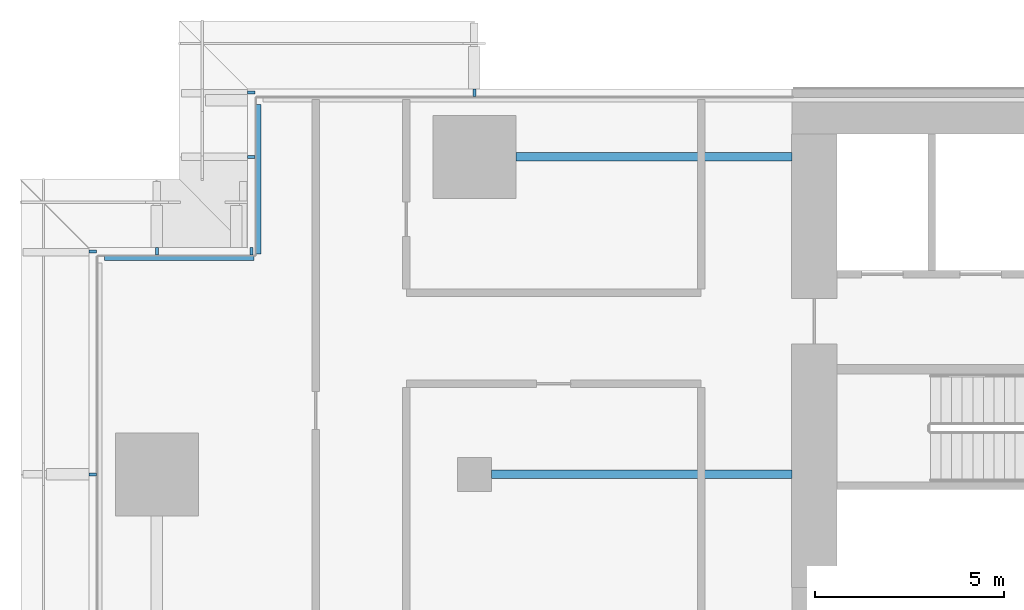
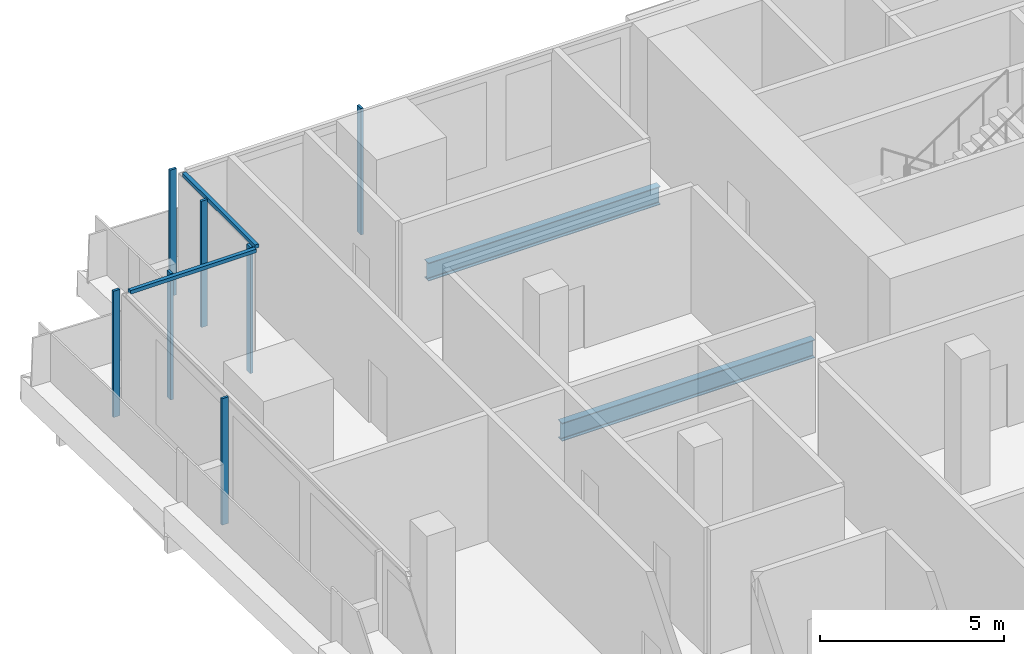
# One storey, part 6 of 23: 9 members, 2 beams, 4 elements without a shape of their own.
"""IFC4 building model written with IfcOpenShell, lengths in metres."""

import ifcopenshell
import ifcopenshell.guid

model = None  # the IFC model being written
_history = None  # IfcOwnerHistory: only IFC2X3 demands one
_inside = {}  # id of a spatial element -> (the spatial element, [elements in it])
_under = {}  # id of a project, library or spatial element -> (it, [spatial elements below it])
_declared = {}  # id of a project -> (the project, [libraries it declares])
_typed = {}  # id of a type object -> (the type object, [elements of that type])
_made_of = {}  # id of a material, layer set ... -> (it, [elements and type objects made of it])


def new_model(schema):
    """Start an empty IFC model of exactly this schema.

    Asked for "IFC4X3", IfcOpenShell would pick the latest addendum, in which some entities
    have other attributes; the version numbers below select the first issue.
    IFC2X3 requires an IfcOwnerHistory on every rooted entity: one is made here for all.
    """
    global model, _history
    if schema == "IFC4X3":
        model = ifcopenshell.file(schema_version=(4, 3, 0, 0))
    else:
        model = ifcopenshell.file(schema=schema)
    _inside.clear()
    _under.clear()
    _declared.clear()
    _typed.clear()
    _made_of.clear()
    _history = None
    if model.schema == "IFC2X3":
        org = make("IfcOrganization", Name="unknown")
        user = make(
            "IfcPersonAndOrganization",
            ThePerson=make("IfcPerson", FamilyName="unknown"),
            TheOrganization=org,
        )
        app = make(
            "IfcApplication",
            ApplicationDeveloper=org,
            Version="unknown",
            ApplicationFullName="unknown",
            ApplicationIdentifier="unknown",
        )
        _history = make(
            "IfcOwnerHistory",
            OwningUser=user,
            OwningApplication=app,
            ChangeAction="ADDED",
            CreationDate=0,
        )
    return model


def make(cls, **values):
    """One entity of the class cls with the attributes given. An attribute that is None is left unset."""
    return model.create_entity(
        cls, **{name: value for name, value in values.items() if value is not None}
    )


def rooted(cls, **values):
    """An entity with a GlobalId (a new one), such as an element, a storey or a relation."""
    return make(cls, GlobalId=ifcopenshell.guid.new(), OwnerHistory=_history, **values)


def si_unit(unit_type, name, prefix=None):
    """IfcSIUnit, for example si_unit("LENGTHUNIT", "METRE", prefix="MILLI")."""
    return make("IfcSIUnit", UnitType=unit_type, Prefix=prefix, Name=name)


def assignment(units):
    """IfcUnitAssignment: the units of a project."""
    return None if units is None else make("IfcUnitAssignment", Units=units)


def point(xyz):
    """IfcCartesianPoint."""
    return None if xyz is None else make("IfcCartesianPoint", Coordinates=xyz)


def direction(xyz):
    """IfcDirection."""
    return None if xyz is None else make("IfcDirection", DirectionRatios=xyz)


def frame(location, z_axis=None, x_axis=None):
    """IfcAxis2Placement3D, a coordinate frame: its origin and axes. An axis left out is left unset."""
    return make(
        "IfcAxis2Placement3D",
        Location=point(location),
        Axis=direction(z_axis),
        RefDirection=direction(x_axis),
    )


def frame_2d(location, x_axis=None):
    """IfcAxis2Placement2D, a coordinate frame in the plane: its origin and x axis."""
    return make(
        "IfcAxis2Placement2D", Location=point(location), RefDirection=direction(x_axis)
    )


def origin():
    """The frame at (0, 0, 0) with its axes left unset."""
    return frame((0.0, 0.0, 0.0))


def origin_2d():
    """The frame at (0, 0) in the plane with its x axis left unset."""
    return frame_2d((0.0, 0.0))


def place(relative_to, where):
    """IfcLocalPlacement: puts the frame where relative to a parent placement (None: the world)."""
    return make(
        "IfcLocalPlacement", PlacementRelTo=relative_to, RelativePlacement=where
    )


def context(
    kind, dimensions, precision=None, world=None, true_north=None, identifier=None
):
    """IfcGeometricRepresentationContext, for example the 3D "Model" context."""
    return make(
        "IfcGeometricRepresentationContext",
        ContextIdentifier=identifier,
        ContextType=kind,
        CoordinateSpaceDimension=dimensions,
        Precision=precision,
        WorldCoordinateSystem=world,
        TrueNorth=true_north,
    )


def subcontext(parent, identifier, kind, view, scale=None):
    """IfcGeometricRepresentationSubContext, for example "Body" below "Model"."""
    return make(
        "IfcGeometricRepresentationSubContext",
        ContextIdentifier=identifier,
        ContextType=kind,
        ParentContext=parent,
        TargetScale=scale,
        TargetView=view,
    )


def project(units=None, contexts=None):
    """IfcProject with its units and contexts."""
    return rooted(
        "IfcProject",
        Name="project",
        RepresentationContexts=contexts,
        UnitsInContext=assignment(units),
    )


def spatial(cls, under=None, at=None, **own):
    """A site, building, storey or space (cls), placed at a placement, below another one or the project."""
    s = rooted(cls, ObjectPlacement=at, **own)
    if under is not None:
        _under.setdefault(under.id(), (under, []))[1].append(s)
    return s


def profile(cls, at=None, kind="AREA", **sizes):
    """A parametric profile (cls). Its sizes go by their IFC names, for example OverallWidth=200.0."""
    return make(cls, ProfileType=kind, Position=at, **sizes)


def rectangle(**sizes):
    """IfcRectangleProfileDef."""
    return profile("IfcRectangleProfileDef", **sizes)


def i_section(**sizes):
    """IfcIShapeProfileDef."""
    return profile("IfcIShapeProfileDef", **sizes)


def extrude(swept, where, along, depth):
    """IfcExtrudedAreaSolid: the profile swept, set in the frame where, extruded along a direction by depth."""
    return make(
        "IfcExtrudedAreaSolid",
        SweptArea=swept,
        Position=where,
        ExtrudedDirection=direction(along),
        Depth=depth,
    )


def shape(context_of_items, identifier, shape_type, items):
    """IfcShapeRepresentation: the items that make up one representation, for example the "Body"."""
    return make(
        "IfcShapeRepresentation",
        ContextOfItems=context_of_items,
        RepresentationIdentifier=identifier,
        RepresentationType=shape_type,
        Items=items,
    )


def material(Name=None, Category=None):
    """IfcMaterial."""
    return make("IfcMaterial", Name=Name, Category=Category)


def material_profile(
    of_material, cross_section, Name=None, Category=None, Priority=None
):
    """IfcMaterialProfile: a cross section and its material."""
    return make(
        "IfcMaterialProfile",
        Name=Name,
        Material=of_material,
        Profile=cross_section,
        Priority=Priority,
        Category=Category,
    )


def profile_set(profiles, Name=None, composite=None):
    """IfcMaterialProfileSet."""
    return make(
        "IfcMaterialProfileSet",
        Name=Name,
        MaterialProfiles=profiles,
        CompositeProfile=composite,
    )


def made_of(thing, what):
    """Note that an element or type object is made of a material, layer set ...; save() writes the relation."""
    if what is not None:
        _made_of.setdefault(what.id(), (what, []))[1].append(thing)
    return thing


def type_object(cls, material=None, **own):
    """A type object (cls), such as IfcWallType, which elements share."""
    return made_of(rooted(cls, **own), material)


def element(
    cls,
    number,
    at=None,
    inside=None,
    cuts=None,
    type_object=None,
    material=None,
    context=None,
    identifier="Body",
    shape_type=None,
    held_by="IfcProductDefinitionShape",
    body=None,
    shapes=None,
    **own,
):
    """One element of the class cls, such as IfcWall. Its Tag is "e" and its number.

    at: its placement. inside: the storey or other place that contains it. cuts: it is an
    opening in that element (IfcRelVoidsElement). A single representation is given by context,
    identifier, shape_type and body (its items); several are given by shapes. held_by: the class
    of the entity that holds the representations. save() writes the other relations.
    """
    e = rooted(cls, Tag="e%d" % number, ObjectPlacement=at, **own)
    if body is not None:
        shapes = [shape(context, identifier, shape_type, body)]
    if shapes is not None:
        e.Representation = make(held_by, Representations=shapes)
    if inside is not None:
        _inside.setdefault(inside.id(), (inside, []))[1].append(e)
    if cuts is not None:
        rooted(
            "IfcRelVoidsElement", RelatingBuildingElement=cuts, RelatedOpeningElement=e
        )
    if type_object is not None:
        _typed.setdefault(type_object.id(), (type_object, []))[1].append(e)
    return made_of(e, material)


def aggregate(whole, parts):
    """IfcRelAggregates: a whole, such as a stair, and the parts it consists of."""
    return rooted("IfcRelAggregates", RelatingObject=whole, RelatedObjects=parts)


def save(model, path):
    """Write the relations noted so far, then the file.

    IfcRelAggregates (storeys below a building ...), IfcRelContainedInSpatialStructure (elements
    in a storey), IfcRelDefinesByType, IfcRelAssociatesMaterial and IfcRelDeclares: one each for
    every whole, place, type object, material and project.
    """
    for whole, parts in _under.values():
        aggregate(whole, parts)
    for where, things in _inside.values():
        rooted(
            "IfcRelContainedInSpatialStructure",
            RelatedElements=things,
            RelatingStructure=where,
        )
    for kind, things in _typed.values():
        rooted("IfcRelDefinesByType", RelatedObjects=things, RelatingType=kind)
    for what, things in _made_of.values():
        rooted("IfcRelAssociatesMaterial", RelatedObjects=things, RelatingMaterial=what)
    for by, libraries in _declared.values():
        rooted("IfcRelDeclares", RelatingContext=by, RelatedDefinitions=libraries)
    model.write(path)


model = new_model("IFC4")

# Units and contexts
model_context = context("Model", 3, precision=1e-05, world=origin(), true_north=direction((0.0, 1.0)))
body_context = subcontext(model_context, "Body", "Model", "MODEL_VIEW")
ifc_project = project(units=[si_unit("LENGTHUNIT", "METRE"), si_unit("AREAUNIT", "SQUARE_METRE"), si_unit("VOLUMEUNIT", "CUBIC_METRE"), si_unit("PLANEANGLEUNIT", "RADIAN"), si_unit("MASSUNIT", "GRAM", prefix="KILO")], contexts=[model_context])

# Site, building, storey
site_placement = place(None, origin())
site = spatial("IfcSite", under=ifc_project, at=site_placement, CompositionType="ELEMENT")
building_placement = place(site_placement, origin())
building = spatial("IfcBuilding", under=site, at=building_placement, Name="Saffron Gate Tower", CompositionType="ELEMENT")
storey_placement = place(building_placement, frame((0.0, 0.0, 23.699951171875)))
storey = spatial("IfcBuildingStorey", under=building, at=storey_placement, Name="L04", CompositionType="ELEMENT", Elevation=23.699951171875)

# Beams
ifc_material_1 = material(Name="Structural steel S355", Category="steel")
ifc_material_profile_1 = material_profile(ifc_material_1, i_section(OverallWidth=0.219970703125, OverallDepth=0.60009765625, WebThickness=0.011962890625, FlangeThickness=0.01904296875, FilletRadius=0.02392578125, at=origin_2d()))
ifc_profile_set_1 = profile_set([ifc_material_profile_1], Name="Structural steel S355")
beam_type = type_object("IfcBeamType", Name="B15 IPE 600", PredefinedType="BEAM", material=ifc_profile_set_1)
beam_1_placement = place(storey_placement, frame((58.64990234375, 65.39990234375, -0.599853515625), z_axis=(1.0, 0.0, 0.0), x_axis=(0.0, 1.0, 0.0)))
element("IfcBeam", 1, at=beam_1_placement, inside=storey, type_object=beam_type, Name="B15 CORE TIE BEAM", PredefinedType="BEAM", context=body_context, shape_type="SweptSolid", body=[
    extrude(i_section(OverallWidth=0.219970703125, OverallDepth=0.60009765625, WebThickness=0.011962890625, FlangeThickness=0.01904296875, FilletRadius=0.02392578125, at=origin_2d()), origin(), (0.0, 0.0, 1.0), 7.9501953125),
])
beam_2_placement = place(storey_placement, frame((59.300048828125, 73.800048828125, -0.599853515625), z_axis=(1.0, 0.0, 0.0), x_axis=(0.0, 1.0, 0.0)))
element("IfcBeam", 2, at=beam_2_placement, inside=storey, type_object=beam_type, Name="B15 CORE TIE BEAM", PredefinedType="BEAM", context=body_context, shape_type="SweptSolid", body=[
    extrude(i_section(OverallWidth=0.219970703125, OverallDepth=0.60009765625, WebThickness=0.011962890625, FlangeThickness=0.01904296875, FilletRadius=0.02392578125, at=origin_2d()), origin(), (0.0, 0.0, 1.0), 7.300048828125),
])

# Curtain wall, member
ifc_material_2 = material(Name="Aluminium, bronze anodised", Category="aluminium")
curtain_wall_type = type_object("IfcCurtainWallType", Name="CWS6 curtain wall tall storeys", PredefinedType="NOTDEFINED", material=ifc_material_2)
curtain_wall_1_placement = place(storey_placement, origin())
curtain_wall_1 = element("IfcCurtainWall", 3, at=curtain_wall_1_placement, inside=storey, type_object=curtain_wall_type, Name="CWS6 run 8", PredefinedType="NOTDEFINED")
ifc_material_profile_2 = material_profile(ifc_material_2, rectangle(XDim=0.1201171875, YDim=0.1201171875, at=origin_2d()))
ifc_profile_set_2 = profile_set([ifc_material_profile_2], Name="Aluminium, bronze anodised")
member_type_1 = type_object("IfcMemberType", Name="CWS6 head transom", PredefinedType="USERDEFINED", material=ifc_profile_set_2)
member_1_placement = place(storey_placement, frame((52.488037109375, 75.19189453125, 4.14013671875), z_axis=(0.0, -1.0, 0.0), x_axis=(1.0, 0.0, 0.0)))
member_1 = element("IfcMember", 4, at=member_1_placement, type_object=member_type_1, Name="CWS6 head transom", ObjectType="TRANSOM", PredefinedType="USERDEFINED", context=body_context, shape_type="SweptSolid", body=[
    extrude(rectangle(XDim=0.1201171875, YDim=0.1201171875, at=origin_2d()), origin(), (0.0, 0.0, 1.0), 3.9599609375),
])

curtain_wall_2_placement = place(storey_placement, origin())
curtain_wall_2 = element("IfcCurtainWall", 5, at=curtain_wall_2_placement, inside=storey, type_object=curtain_wall_type, Name="CWS6 run 9", PredefinedType="NOTDEFINED")
member_2_placement = place(storey_placement, frame((52.367919921875, 71.112060546875, 4.14013671875), z_axis=(-1.0, 0.0, 0.0), x_axis=(0.0, -1.0, 0.0)))
member_2 = element("IfcMember", 6, at=member_2_placement, type_object=member_type_1, Name="CWS6 head transom", ObjectType="TRANSOM", PredefinedType="USERDEFINED", context=body_context, shape_type="SweptSolid", body=[
    extrude(rectangle(XDim=0.1201171875, YDim=0.1201171875, at=origin_2d()), origin(), (0.0, 0.0, 1.0), 3.9599609375),
])

curtain_wall_3_placement = place(storey_placement, origin())
curtain_wall_3 = element("IfcCurtainWall", 7, at=curtain_wall_3_placement, inside=storey, type_object=curtain_wall_type, Name="CWS6 run 7", PredefinedType="NOTDEFINED")
ifc_material_profile_3 = material_profile(ifc_material_2, rectangle(XDim=0.199951171875, YDim=0.080078125, at=origin_2d()))
ifc_profile_set_3 = profile_set([ifc_material_profile_3], Name="Aluminium, bronze anodised")
member_type_2 = type_object("IfcMemberType", Name="CWS6 mullion 80x200", PredefinedType="MULLION", material=ifc_profile_set_3)
member_3_placement = place(storey_placement, frame((58.199951171875, 75.5, 0.0), z_axis=(0.0, 0.0, 1.0), x_axis=(0.0, -1.0, 0.0)))
member_3 = element("IfcMember", 8, at=member_3_placement, type_object=member_type_2, Name="CWS6 mullion 9", PredefinedType="MULLION", context=body_context, shape_type="SweptSolid", body=[
    extrude(rectangle(XDim=0.199951171875, YDim=0.080078125, at=origin_2d()), origin(), (0.0, 0.0, 1.0), 4.199951171875),
])
aggregate(curtain_wall_3, [member_3])

# Member
member_4_placement = place(storey_placement, frame((52.300048828125, 75.5, 0.0), z_axis=(0.0, 0.0, 1.0), x_axis=(1.0, 0.0, 0.0)))
member_4 = element("IfcMember", 9, at=member_4_placement, type_object=member_type_2, Name="CWS6 mullion 1", PredefinedType="MULLION", context=body_context, shape_type="SweptSolid", body=[
    extrude(rectangle(XDim=0.199951171875, YDim=0.080078125, at=origin_2d()), origin(), (0.0, 0.0, 1.0), 4.199951171875),
])

member_5_placement = place(storey_placement, frame((52.300048828125, 73.800048828125, 0.0), z_axis=(0.0, 0.0, 1.0), x_axis=(1.0, 0.0, 0.0)))
member_5 = element("IfcMember", 10, at=member_5_placement, type_object=member_type_2, Name="CWS6 mullion 2", PredefinedType="MULLION", context=body_context, shape_type="SweptSolid", body=[
    extrude(rectangle(XDim=0.199951171875, YDim=0.080078125, at=origin_2d()), origin(), (0.0, 0.0, 1.0), 4.199951171875),
])

aggregate(curtain_wall_1, [member_4, member_5, member_1])

member_6_placement = place(storey_placement, frame((52.300048828125, 71.300048828125, 0.0), z_axis=(0.0, 0.0, 1.0), x_axis=(0.0, -1.0, 0.0)))
member_6 = element("IfcMember", 11, at=member_6_placement, type_object=member_type_2, Name="CWS6 mullion 1", PredefinedType="MULLION", context=body_context, shape_type="SweptSolid", body=[
    extrude(rectangle(XDim=0.199951171875, YDim=0.080078125, at=origin_2d()), origin(), (0.0, 0.0, 1.0), 4.199951171875),
])

member_7_placement = place(storey_placement, frame((49.800048828125, 71.300048828125, 0.0), z_axis=(0.0, 0.0, 1.0), x_axis=(0.0, -1.0, 0.0)))
member_7 = element("IfcMember", 12, at=member_7_placement, type_object=member_type_2, Name="CWS6 mullion 2", PredefinedType="MULLION", context=body_context, shape_type="SweptSolid", body=[
    extrude(rectangle(XDim=0.199951171875, YDim=0.080078125, at=origin_2d()), origin(), (0.0, 0.0, 1.0), 4.199951171875),
])

aggregate(curtain_wall_2, [member_6, member_7, member_2])

# Curtain wall, members
curtain_wall_4_placement = place(storey_placement, origin())
curtain_wall_4 = element("IfcCurtainWall", 13, at=curtain_wall_4_placement, inside=storey, type_object=curtain_wall_type, Name="CWS6 run 10", PredefinedType="NOTDEFINED")
member_8_placement = place(storey_placement, frame((48.10009765625, 71.300048828125, 0.0), z_axis=(0.0, 0.0, 1.0), x_axis=(1.0, 0.0, 0.0)))
member_8 = element("IfcMember", 14, at=member_8_placement, type_object=member_type_2, Name="CWS6 mullion 1", PredefinedType="MULLION", context=body_context, shape_type="SweptSolid", body=[
    extrude(rectangle(XDim=0.199951171875, YDim=0.080078125, at=origin_2d()), origin(), (0.0, 0.0, 1.0), 4.199951171875),
])
member_9_placement = place(storey_placement, frame((48.10009765625, 65.39990234375, 0.0), z_axis=(0.0, 0.0, 1.0), x_axis=(1.0, 0.0, 0.0)))
member_9 = element("IfcMember", 15, at=member_9_placement, type_object=member_type_2, Name="CWS6 mullion 2", PredefinedType="MULLION", context=body_context, shape_type="SweptSolid", body=[
    extrude(rectangle(XDim=0.199951171875, YDim=0.080078125, at=origin_2d()), origin(), (0.0, 0.0, 1.0), 4.199951171875),
])
aggregate(curtain_wall_4, [member_8, member_9])

save(model, "model.ifc")
